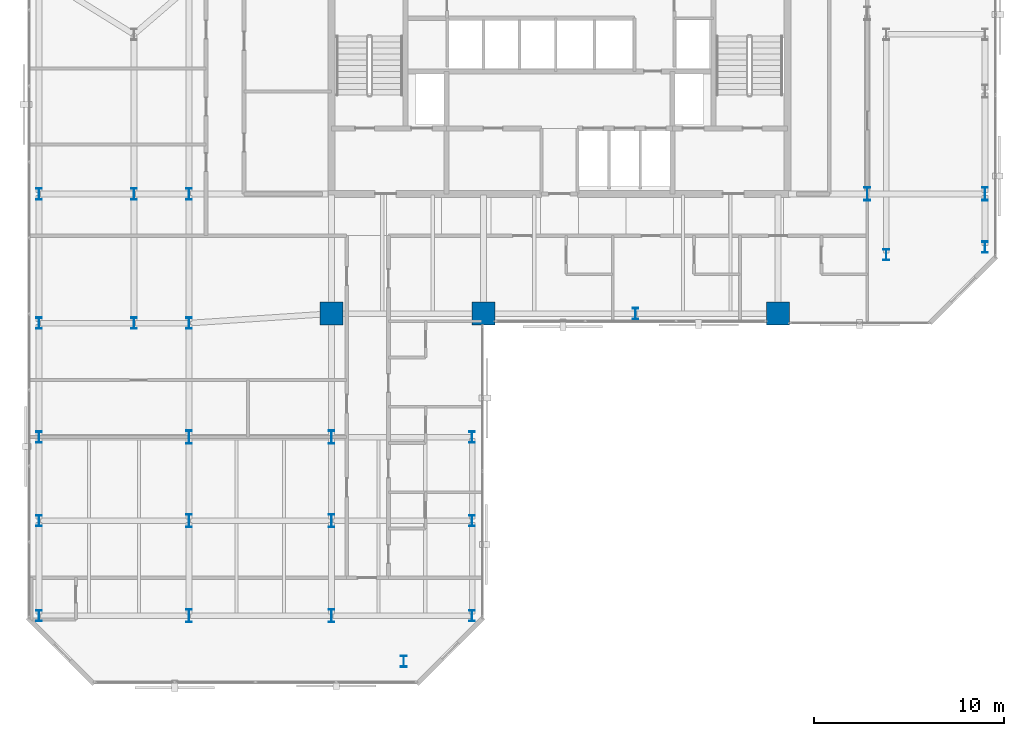
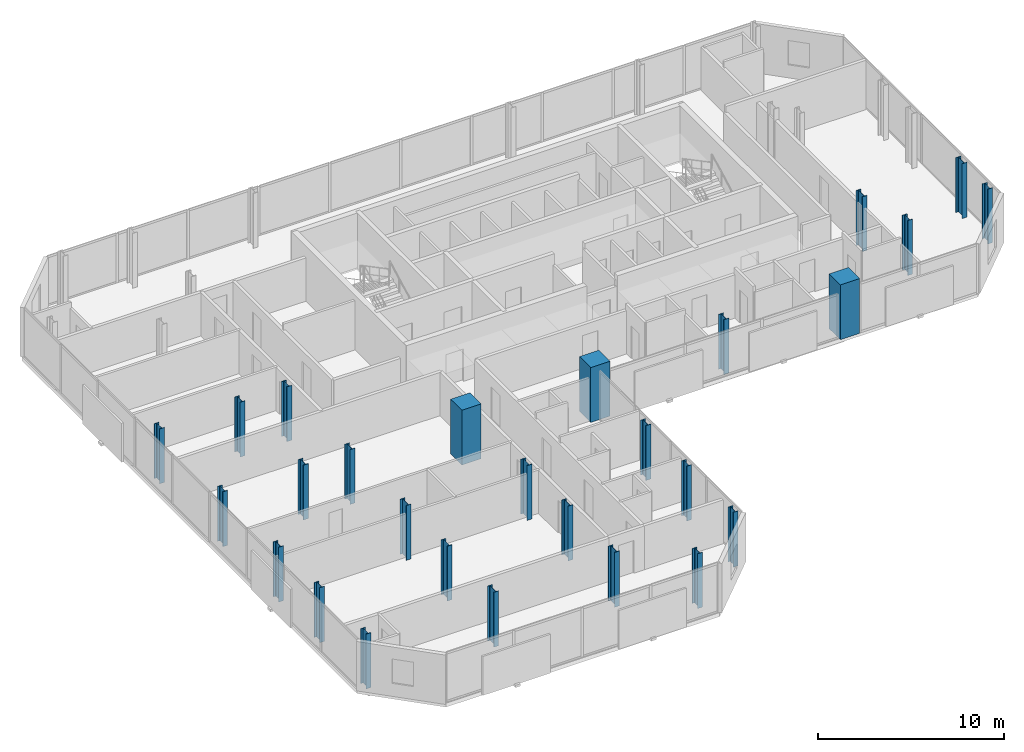
# One storey, part 1 of 32: 27 columns.
"""IFC4 building model written with IfcOpenShell, lengths in metres."""

from ifc_helpers import new_model, si_unit, direction, frame, origin, origin_2d, place, context, subcontext, project, spatial, rectangle, i_section, extrude, material, material_profile, profile_set, type_object, element, save


model = new_model("IFC4")

# Units and contexts
model_context = context("Model", 3, precision=1e-05, world=origin(), true_north=direction((0.0, 1.0)))
body_context = subcontext(model_context, "Body", "Model", "MODEL_VIEW")
ifc_project = project(units=[si_unit("LENGTHUNIT", "METRE"), si_unit("AREAUNIT", "SQUARE_METRE"), si_unit("VOLUMEUNIT", "CUBIC_METRE"), si_unit("PLANEANGLEUNIT", "RADIAN"), si_unit("MASSUNIT", "GRAM", prefix="KILO")], contexts=[model_context])

# Site, building, storey
site_placement = place(None, origin())
site = spatial("IfcSite", under=ifc_project, at=site_placement, CompositionType="ELEMENT")
building_placement = place(site_placement, origin())
building = spatial("IfcBuilding", under=site, at=building_placement, Name="Catumbela Crestline Tower", CompositionType="ELEMENT")
storey_placement = place(building_placement, frame((0.0, 0.0, 140.4)))
storey = spatial("IfcBuildingStorey", under=building, at=storey_placement, Name="L36", CompositionType="ELEMENT", Elevation=140.4)

# Columns
ifc_material_1 = material(Name="Concrete C50/60", Category="concrete")
ifc_material_profile_1 = material_profile(ifc_material_1, rectangle(XDim=1.2, YDim=1.2, at=origin_2d()), Name="RC 1200x1200")
ifc_profile_set_1 = profile_set([ifc_material_profile_1], Name="Concrete C50/60")
column_type_1 = type_object("IfcColumnType", Name="C-RC1200-C50", PredefinedType="COLUMN", material=ifc_profile_set_1)
for number, where, z_axis, x_axis, name in (
    (1, (16.0, 24.5, 0.0), (0.0, 0.0, 1.0), (1.0, 0.0, 0.0), "L36 Column C-16-24 (RC 1200x1200)"),
    (2, (24.0, 24.5, 0.0), (0.0, 0.0, 1.0), (1.0, 0.0, 0.0), "L36 Column C-24-24 (RC 1200x1200)"),
    (3, (39.5, 24.5, 0.0), (0.0, 0.0, 1.0), (1.0, 0.0, 0.0), "L36 Column C-40-24 (RC 1200x1200)"),
):
    element("IfcColumn", number, at=place(storey_placement, frame(where, z_axis=z_axis, x_axis=x_axis)), inside=storey, type_object=column_type_1, Name=name, PredefinedType="COLUMN", context=body_context, shape_type="SweptSolid", body=[
        extrude(rectangle(XDim=1.2, YDim=1.2, at=origin_2d()), origin(), (0.0, 0.0, 1.0), 3.6),
    ])
ifc_material_2 = material(Name="Structural steel S460M", Category="steel")
ifc_material_profile_2 = material_profile(ifc_material_2, i_section(OverallWidth=0.3, OverallDepth=0.6, WebThickness=0.0155, FlangeThickness=0.03, FilletRadius=0.027, at=origin_2d()), Name="HEB 600")
ifc_profile_set_2 = profile_set([ifc_material_profile_2], Name="Structural steel S460M")
column_type_2 = type_object("IfcColumnType", Name="C-ST-HEB600", PredefinedType="COLUMN", material=ifc_profile_set_2)
for number, where, z_axis, x_axis, name in (
    (4, (8.5, 24.0, 0.0), (0.0, 0.0, 1.0), (1.0, 0.0, 0.0), "L36 Column C-08-24 (HEB 600)"),
    (5, (32.0, 24.5, 0.0), (0.0, 0.0, 1.0), (1.0, 0.0, 0.0), "L36 Column C-32-24 (HEB 600)"),
    (6, (5.6, 24.0, 0.0), (0.0, 0.0, 1.0), (1.0, 0.0, 0.0), "L36 Column C-05-24 (HEB 600)"),
    (7, (5.6, 30.8, 0.0), (0.0, 0.0, 1.0), (1.0, 0.0, 0.0), "L36 Column C-05-31 (HEB 600)"),
    (8, (8.5, 30.8, 0.0), (0.0, 0.0, 1.0), (1.0, 0.0, 0.0), "L36 Column C-08-31 (HEB 600)"),
    (9, (45.2, 27.6, 0.0), (0.0, 0.0, 1.0), (1.0, 0.0, 0.0), "L36 Column C-46-24 (HEB 600)"),
    (10, (0.6, 24.0, 0.0), (0.0, 0.0, 1.0), (1.0, 0.0, 0.0), "L36 Column C-00-24 (HEB 600)"),
    (11, (0.6, 30.8, 0.0), (0.0, 0.0, 1.0), (1.0, 0.0, 0.0), "L36 Column C-00-31 (HEB 600)"),
    (12, (50.4, 28.0, 0.0), (0.0, 0.0, 1.0), (1.0, 0.0, 0.0), "L36 Column C-51-24 (HEB 600)"),
    (13, (0.6, 8.6, 0.0), (0.0, 0.0, 1.0), (1.0, 0.0, 0.0), "L36 Column C-00-05 (HEB 600)"),
    (14, (0.6, 13.6, 0.0), (0.0, 0.0, 1.0), (1.0, 0.0, 0.0), "L36 Column C-00-10 (HEB 600)"),
    (15, (0.6, 18.0, 0.0), (0.0, 0.0, 1.0), (1.0, 0.0, 0.0), "L36 Column C-00-16 (HEB 600)"),
    (16, (19.8, 6.2, 0.0), (0.0, 0.0, 1.0), (1.0, 0.0, 0.0), "L36 Column C-24-05 (HEB 600)"),
    (17, (23.4, 8.6, 0.0), (0.0, 0.0, 1.0), (1.0, 0.0, 0.0), "L36 Column C-23-08 (HEB 600)"),
    (18, (23.4, 13.6, 0.0), (0.0, 0.0, 1.0), (1.0, 0.0, 0.0), "L36 Column C-24-10 (HEB 600)"),
    (19, (23.4, 18.0, 0.0), (0.0, 0.0, 1.0), (1.0, 0.0, 0.0), "L36 Column C-24-16 (HEB 600)"),
):
    element("IfcColumn", number, at=place(storey_placement, frame(where, z_axis=z_axis, x_axis=x_axis)), inside=storey, type_object=column_type_2, Name=name, PredefinedType="COLUMN", context=body_context, shape_type="SweptSolid", body=[
        extrude(i_section(OverallWidth=0.3, OverallDepth=0.6, WebThickness=0.0155, FlangeThickness=0.03, FilletRadius=0.027, at=origin_2d()), origin(), (0.0, 0.0, 1.0), 3.6),
    ])
ifc_material_profile_3 = material_profile(ifc_material_2, i_section(OverallWidth=0.3, OverallDepth=0.7, WebThickness=0.017, FlangeThickness=0.032, FilletRadius=0.027, at=origin_2d()), Name="HEB 700")
ifc_profile_set_3 = profile_set([ifc_material_profile_3], Name="Structural steel S460M")
column_type_3 = type_object("IfcColumnType", Name="C-ST-HEB700", PredefinedType="COLUMN", material=ifc_profile_set_3)
for number, where, z_axis, x_axis, name in (
    (20, (8.5, 8.6, 0.0), (0.0, 0.0, 1.0), (1.0, 0.0, 0.0), "L36 Column CT-05-05 (HEB 700)"),
    (21, (16.0, 8.6, 0.0), (0.0, 0.0, 1.0), (1.0, 0.0, 0.0), "L36 Column CT-14-05 (HEB 700)"),
    (22, (8.5, 13.6, 0.0), (0.0, 0.0, 1.0), (1.0, 0.0, 0.0), "L36 Column CT-05-10 (HEB 700)"),
    (23, (16.0, 13.6, 0.0), (0.0, 0.0, 1.0), (1.0, 0.0, 0.0), "L36 Column CT-14-10 (HEB 700)"),
    (24, (8.5, 18.0, 0.0), (0.0, 0.0, 1.0), (1.0, 0.0, 0.0), "L36 Column CT-05-16 (HEB 700)"),
    (25, (16.0, 18.0, 0.0), (0.0, 0.0, 1.0), (1.0, 0.0, 0.0), "L36 Column CT-14-16 (HEB 700)"),
    (26, (44.2, 30.8, 0.0), (0.0, 0.0, 1.0), (1.0, 0.0, 0.0), "L36 Column CT-46-31 (HEB 700)"),
    (27, (50.4, 30.8, 0.0), (0.0, 0.0, 1.0), (1.0, 0.0, 0.0), "L36 Column CT-51-31 (HEB 700)"),
):
    element("IfcColumn", number, at=place(storey_placement, frame(where, z_axis=z_axis, x_axis=x_axis)), inside=storey, type_object=column_type_3, Name=name, PredefinedType="COLUMN", context=body_context, shape_type="SweptSolid", body=[
        extrude(i_section(OverallWidth=0.3, OverallDepth=0.7, WebThickness=0.017, FlangeThickness=0.032, FilletRadius=0.027, at=origin_2d()), origin(), (0.0, 0.0, 1.0), 3.6),
    ])

save(model, "model.ifc")
